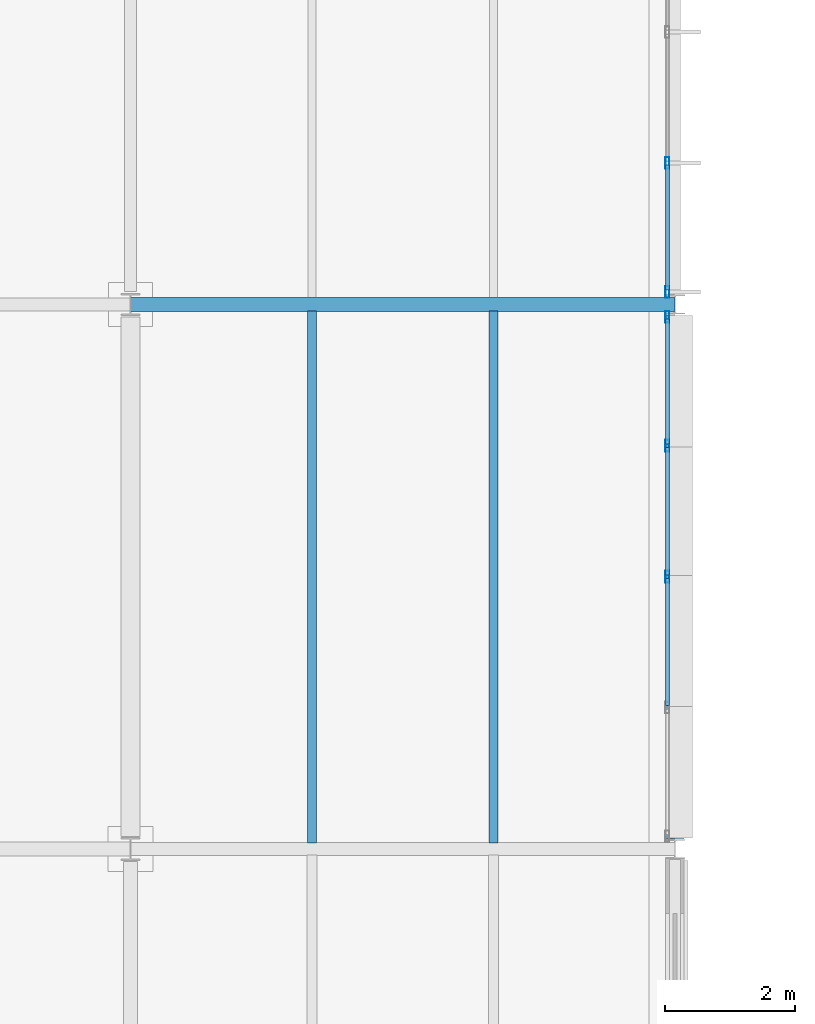
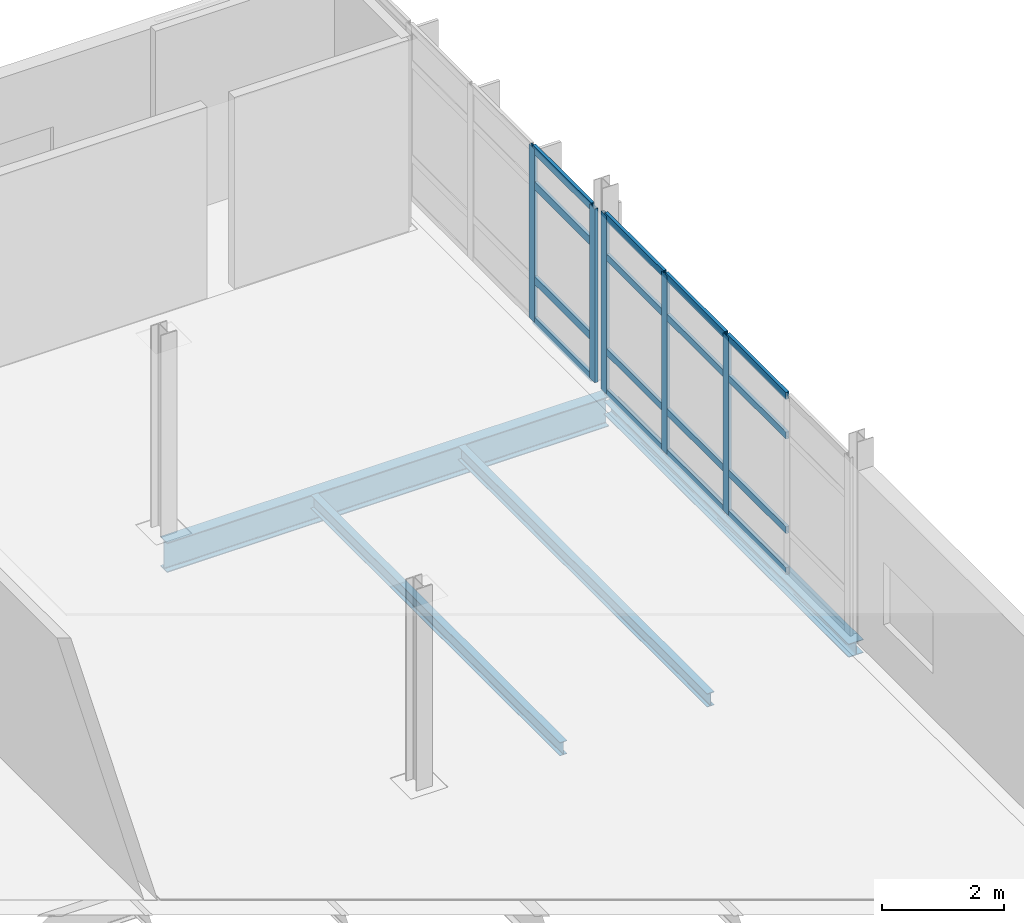
# One storey, part 88 of 151: 21 members, 4 beams, 2 elements without a shape of their own.
"""IFC4 building model written with IfcOpenShell, lengths in metres."""

from ifc_helpers import new_model, si_unit, direction, frame, origin, origin_2d, place, context, subcontext, project, spatial, hollow_rectangle, i_section, extrude, material, material_profile, profile_set, type_object, element, aggregate, save


model = new_model("IFC4")

# Units and contexts
model_context = context("Model", 3, precision=1e-05, world=origin(), true_north=direction((0.0, 1.0)))
body_context = subcontext(model_context, "Body", "Model", "MODEL_VIEW")
ifc_project = project(units=[si_unit("LENGTHUNIT", "METRE"), si_unit("AREAUNIT", "SQUARE_METRE"), si_unit("VOLUMEUNIT", "CUBIC_METRE"), si_unit("PLANEANGLEUNIT", "RADIAN"), si_unit("MASSUNIT", "GRAM", prefix="KILO")], contexts=[model_context])

# Site, building, storey
site_placement = place(None, origin())
site = spatial("IfcSite", under=ifc_project, at=site_placement, CompositionType="ELEMENT")
building_placement = place(site_placement, origin())
building = spatial("IfcBuilding", under=site, at=building_placement, Name="Mersafa Astral City Hall", CompositionType="ELEMENT")
storey_placement = place(building_placement, frame((0.0, 0.0, 9.89990234375)))
storey = spatial("IfcBuildingStorey", under=building, at=storey_placement, Name="L02", CompositionType="ELEMENT", Elevation=9.89990234375)

# Curtain wall, members
ifc_material_1 = material(Name="Anodised bronze aluminium framing", Category="aluminium")
curtain_wall_type_1 = type_object("IfcCurtainWallType", Name="ENV-CW-6", PredefinedType="USERDEFINED", material=ifc_material_1)
curtain_wall_1_placement = place(storey_placement, origin())
curtain_wall_1 = element("IfcCurtainWall", 1, at=curtain_wall_1_placement, inside=storey, type_object=curtain_wall_type_1, Name="L02 Unitised solar curtain wall 107", ObjectType="UNITISED CURTAIN WALL", PredefinedType="USERDEFINED")
ifc_material_profile_1 = material_profile(ifc_material_1, hollow_rectangle(XDim=0.06005859375, YDim=0.179931640625, WallThickness=0.00390625, at=origin_2d()), Name="RHS 60x180x4")
ifc_profile_set_1 = profile_set([ifc_material_profile_1], Name="Anodised bronze aluminium framing")
member_type_1 = type_object("IfcMemberType", Name="ENV-CW-MUL-1", PredefinedType="MULLION", material=ifc_profile_set_1)
member_1_placement = place(storey_placement, frame((142.679931640625, 21.0, -0.001953125), z_axis=(0.0, 0.0, 1.0), x_axis=(-1.0, 0.0, 0.0)))
member_1 = element("IfcMember", 2, at=member_1_placement, type_object=member_type_1, Name="CW-6 mullion 3", PredefinedType="MULLION", context=body_context, shape_type="SweptSolid", body=[
    extrude(hollow_rectangle(XDim=0.06005859375, YDim=0.179931640625, WallThickness=0.00390625, at=origin_2d()), origin(), (0.0, 0.0, 1.0), 3.5791015625),
])
member_2_placement = place(storey_placement, frame((142.679931640625, 23.01904296875, -0.001953125), z_axis=(0.0, 0.0, 1.0), x_axis=(-1.0, 0.0, 0.0)))
member_2 = element("IfcMember", 3, at=member_2_placement, type_object=member_type_1, Name="CW-6 mullion 4", PredefinedType="MULLION", context=body_context, shape_type="SweptSolid", body=[
    extrude(hollow_rectangle(XDim=0.06005859375, YDim=0.179931640625, WallThickness=0.00390625, at=origin_2d()), origin(), (0.0, 0.0, 1.0), 3.5791015625),
])
member_3_placement = place(storey_placement, frame((142.679931640625, 25.008056640625, -0.001953125), z_axis=(0.0, 0.0, 1.0), x_axis=(-1.0, 0.0, 0.0)))
member_3 = element("IfcMember", 4, at=member_3_placement, type_object=member_type_1, Name="CW-6 mullion 5", PredefinedType="MULLION", context=body_context, shape_type="SweptSolid", body=[
    extrude(hollow_rectangle(XDim=0.06005859375, YDim=0.179931640625, WallThickness=0.00390625, at=origin_2d()), origin(), (0.0, 0.0, 1.0), 3.5791015625),
])

curtain_wall_type_2 = type_object("IfcCurtainWallType", Name="ENV-CW-1", PredefinedType="USERDEFINED", material=ifc_material_1)
curtain_wall_2_placement = place(storey_placement, origin())
curtain_wall_2 = element("IfcCurtainWall", 5, at=curtain_wall_2_placement, inside=storey, type_object=curtain_wall_type_2, Name="L02 Unitised solar curtain wall 108", ObjectType="UNITISED CURTAIN WALL", PredefinedType="USERDEFINED")
member_4_placement = place(storey_placement, frame((142.679931640625, 25.39208984375, -0.001953125), z_axis=(0.0, 0.0, 1.0), x_axis=(-1.0, 0.0, 0.0)))
member_4 = element("IfcMember", 6, at=member_4_placement, type_object=member_type_1, Name="CW-1 mullion 1", PredefinedType="MULLION", context=body_context, shape_type="SweptSolid", body=[
    extrude(hollow_rectangle(XDim=0.06005859375, YDim=0.179931640625, WallThickness=0.00390625, at=origin_2d()), origin(), (0.0, 0.0, 1.0), 3.489013671875),
])
member_5_placement = place(storey_placement, frame((142.679931640625, 27.381103515625, -0.001953125), z_axis=(0.0, 0.0, 1.0), x_axis=(-1.0, 0.0, 0.0)))
member_5 = element("IfcMember", 7, at=member_5_placement, type_object=member_type_1, Name="CW-1 mullion 2", PredefinedType="MULLION", context=body_context, shape_type="SweptSolid", body=[
    extrude(hollow_rectangle(XDim=0.06005859375, YDim=0.179931640625, WallThickness=0.00390625, at=origin_2d()), origin(), (0.0, 0.0, 1.0), 3.489013671875),
])

# Member
ifc_material_profile_2 = material_profile(ifc_material_1, hollow_rectangle(XDim=0.06005859375, YDim=0.139892578125, WallThickness=0.00390625, at=origin_2d()), Name="RHS 60x140x4")
ifc_profile_set_2 = profile_set([ifc_material_profile_2], Name="Anodised bronze aluminium framing")
member_type_2 = type_object("IfcMemberType", Name="ENV-CW-TRN-1", PredefinedType="USERDEFINED", material=ifc_profile_set_2)
member_6_placement = place(storey_placement, frame((142.679931640625, 19.010986328125, 0.028076171875), z_axis=(0.0, 1.0, 0.0), x_axis=(-1.0, 0.0, 0.0)))
member_6 = element("IfcMember", 8, at=member_6_placement, type_object=member_type_2, Name="CW-6 transom 2.1", ObjectType="TRANSOM", PredefinedType="USERDEFINED", context=body_context, shape_type="SweptSolid", body=[
    extrude(hollow_rectangle(XDim=0.06005859375, YDim=0.139892578125, WallThickness=0.00390625, at=origin_2d()), origin(), (0.0, 0.0, 1.0), 1.958984375),
])

member_7_placement = place(storey_placement, frame((142.679931640625, 19.010986328125, 0.85009765625), z_axis=(0.0, 1.0, 0.0), x_axis=(-1.0, 0.0, 0.0)))
member_7 = element("IfcMember", 9, at=member_7_placement, type_object=member_type_2, Name="CW-6 transom 2.2", ObjectType="TRANSOM", PredefinedType="USERDEFINED", context=body_context, shape_type="SweptSolid", body=[
    extrude(hollow_rectangle(XDim=0.06005859375, YDim=0.139892578125, WallThickness=0.00390625, at=origin_2d()), origin(), (0.0, 0.0, 1.0), 1.958984375),
])

member_8_placement = place(storey_placement, frame((142.679931640625, 19.010986328125, 2.75), z_axis=(0.0, 1.0, 0.0), x_axis=(-1.0, 0.0, 0.0)))
member_8 = element("IfcMember", 10, at=member_8_placement, type_object=member_type_2, Name="CW-6 transom 2.3", ObjectType="TRANSOM", PredefinedType="USERDEFINED", context=body_context, shape_type="SweptSolid", body=[
    extrude(hollow_rectangle(XDim=0.06005859375, YDim=0.139892578125, WallThickness=0.00390625, at=origin_2d()), origin(), (0.0, 0.0, 1.0), 1.958984375),
])

member_9_placement = place(storey_placement, frame((142.679931640625, 19.010986328125, 3.547119140625), z_axis=(0.0, 1.0, 0.0), x_axis=(-1.0, 0.0, 0.0)))
member_9 = element("IfcMember", 11, at=member_9_placement, type_object=member_type_2, Name="CW-6 transom 2.4", ObjectType="TRANSOM", PredefinedType="USERDEFINED", context=body_context, shape_type="SweptSolid", body=[
    extrude(hollow_rectangle(XDim=0.06005859375, YDim=0.139892578125, WallThickness=0.00390625, at=origin_2d()), origin(), (0.0, 0.0, 1.0), 1.958984375),
])

member_10_placement = place(storey_placement, frame((142.679931640625, 21.030029296875, 0.028076171875), z_axis=(0.0, 1.0, 0.0), x_axis=(-1.0, 0.0, 0.0)))
member_10 = element("IfcMember", 12, at=member_10_placement, type_object=member_type_2, Name="CW-6 transom 3.1", ObjectType="TRANSOM", PredefinedType="USERDEFINED", context=body_context, shape_type="SweptSolid", body=[
    extrude(hollow_rectangle(XDim=0.06005859375, YDim=0.139892578125, WallThickness=0.00390625, at=origin_2d()), origin(), (0.0, 0.0, 1.0), 1.958984375),
])

member_11_placement = place(storey_placement, frame((142.679931640625, 21.030029296875, 0.85009765625), z_axis=(0.0, 1.0, 0.0), x_axis=(-1.0, 0.0, 0.0)))
member_11 = element("IfcMember", 13, at=member_11_placement, type_object=member_type_2, Name="CW-6 transom 3.2", ObjectType="TRANSOM", PredefinedType="USERDEFINED", context=body_context, shape_type="SweptSolid", body=[
    extrude(hollow_rectangle(XDim=0.06005859375, YDim=0.139892578125, WallThickness=0.00390625, at=origin_2d()), origin(), (0.0, 0.0, 1.0), 1.958984375),
])

member_12_placement = place(storey_placement, frame((142.679931640625, 21.030029296875, 2.75), z_axis=(0.0, 1.0, 0.0), x_axis=(-1.0, 0.0, 0.0)))
member_12 = element("IfcMember", 14, at=member_12_placement, type_object=member_type_2, Name="CW-6 transom 3.3", ObjectType="TRANSOM", PredefinedType="USERDEFINED", context=body_context, shape_type="SweptSolid", body=[
    extrude(hollow_rectangle(XDim=0.06005859375, YDim=0.139892578125, WallThickness=0.00390625, at=origin_2d()), origin(), (0.0, 0.0, 1.0), 1.958984375),
])

member_13_placement = place(storey_placement, frame((142.679931640625, 21.030029296875, 3.547119140625), z_axis=(0.0, 1.0, 0.0), x_axis=(-1.0, 0.0, 0.0)))
member_13 = element("IfcMember", 15, at=member_13_placement, type_object=member_type_2, Name="CW-6 transom 3.4", ObjectType="TRANSOM", PredefinedType="USERDEFINED", context=body_context, shape_type="SweptSolid", body=[
    extrude(hollow_rectangle(XDim=0.06005859375, YDim=0.139892578125, WallThickness=0.00390625, at=origin_2d()), origin(), (0.0, 0.0, 1.0), 1.958984375),
])

member_14_placement = place(storey_placement, frame((142.679931640625, 23.049072265625, 0.028076171875), z_axis=(0.0, 1.0, 0.0), x_axis=(-1.0, 0.0, 0.0)))
member_14 = element("IfcMember", 16, at=member_14_placement, type_object=member_type_2, Name="CW-6 transom 4.1", ObjectType="TRANSOM", PredefinedType="USERDEFINED", context=body_context, shape_type="SweptSolid", body=[
    extrude(hollow_rectangle(XDim=0.06005859375, YDim=0.139892578125, WallThickness=0.00390625, at=origin_2d()), origin(), (0.0, 0.0, 1.0), 1.928955078125),
])

member_15_placement = place(storey_placement, frame((142.679931640625, 23.049072265625, 0.85009765625), z_axis=(0.0, 1.0, 0.0), x_axis=(-1.0, 0.0, 0.0)))
member_15 = element("IfcMember", 17, at=member_15_placement, type_object=member_type_2, Name="CW-6 transom 4.2", ObjectType="TRANSOM", PredefinedType="USERDEFINED", context=body_context, shape_type="SweptSolid", body=[
    extrude(hollow_rectangle(XDim=0.06005859375, YDim=0.139892578125, WallThickness=0.00390625, at=origin_2d()), origin(), (0.0, 0.0, 1.0), 1.928955078125),
])

member_16_placement = place(storey_placement, frame((142.679931640625, 23.049072265625, 2.75), z_axis=(0.0, 1.0, 0.0), x_axis=(-1.0, 0.0, 0.0)))
member_16 = element("IfcMember", 18, at=member_16_placement, type_object=member_type_2, Name="CW-6 transom 4.3", ObjectType="TRANSOM", PredefinedType="USERDEFINED", context=body_context, shape_type="SweptSolid", body=[
    extrude(hollow_rectangle(XDim=0.06005859375, YDim=0.139892578125, WallThickness=0.00390625, at=origin_2d()), origin(), (0.0, 0.0, 1.0), 1.928955078125),
])

member_17_placement = place(storey_placement, frame((142.679931640625, 23.049072265625, 3.547119140625), z_axis=(0.0, 1.0, 0.0), x_axis=(-1.0, 0.0, 0.0)))
member_17 = element("IfcMember", 19, at=member_17_placement, type_object=member_type_2, Name="CW-6 transom 4.4", ObjectType="TRANSOM", PredefinedType="USERDEFINED", context=body_context, shape_type="SweptSolid", body=[
    extrude(hollow_rectangle(XDim=0.06005859375, YDim=0.139892578125, WallThickness=0.00390625, at=origin_2d()), origin(), (0.0, 0.0, 1.0), 1.928955078125),
])

aggregate(curtain_wall_1, [member_1, member_2, member_3, member_6, member_7, member_8, member_9, member_10, member_11, member_12, member_13, member_14, member_15, member_16, member_17])

ifc_material_profile_3 = material_profile(ifc_material_1, hollow_rectangle(XDim=0.06005859375, YDim=0.159912109375, WallThickness=0.00390625, at=origin_2d()), Name="RHS 60x160x4")
ifc_profile_set_3 = profile_set([ifc_material_profile_3], Name="Anodised bronze aluminium framing")
member_type_3 = type_object("IfcMemberType", Name="ENV-CW-TRN-2", PredefinedType="USERDEFINED", material=ifc_profile_set_3)
member_18_placement = place(storey_placement, frame((142.679931640625, 25.422119140625, 0.028076171875), z_axis=(0.0, 1.0, 0.0), x_axis=(-1.0, 0.0, 0.0)))
member_18 = element("IfcMember", 20, at=member_18_placement, type_object=member_type_3, Name="CW-1 transom 1.1", ObjectType="TRANSOM", PredefinedType="USERDEFINED", context=body_context, shape_type="SweptSolid", body=[
    extrude(hollow_rectangle(XDim=0.06005859375, YDim=0.159912109375, WallThickness=0.00390625, at=origin_2d()), origin(), (0.0, 0.0, 1.0), 1.928955078125),
])

member_19_placement = place(storey_placement, frame((142.679931640625, 25.422119140625, 0.85009765625), z_axis=(0.0, 1.0, 0.0), x_axis=(-1.0, 0.0, 0.0)))
member_19 = element("IfcMember", 21, at=member_19_placement, type_object=member_type_3, Name="CW-1 transom 1.2", ObjectType="TRANSOM", PredefinedType="USERDEFINED", context=body_context, shape_type="SweptSolid", body=[
    extrude(hollow_rectangle(XDim=0.06005859375, YDim=0.159912109375, WallThickness=0.00390625, at=origin_2d()), origin(), (0.0, 0.0, 1.0), 1.928955078125),
])

member_20_placement = place(storey_placement, frame((142.679931640625, 25.422119140625, 2.75), z_axis=(0.0, 1.0, 0.0), x_axis=(-1.0, 0.0, 0.0)))
member_20 = element("IfcMember", 22, at=member_20_placement, type_object=member_type_3, Name="CW-1 transom 1.3", ObjectType="TRANSOM", PredefinedType="USERDEFINED", context=body_context, shape_type="SweptSolid", body=[
    extrude(hollow_rectangle(XDim=0.06005859375, YDim=0.159912109375, WallThickness=0.00390625, at=origin_2d()), origin(), (0.0, 0.0, 1.0), 1.928955078125),
])

member_21_placement = place(storey_placement, frame((142.679931640625, 25.422119140625, 3.45703125), z_axis=(0.0, 1.0, 0.0), x_axis=(-1.0, 0.0, 0.0)))
member_21 = element("IfcMember", 23, at=member_21_placement, type_object=member_type_3, Name="CW-1 transom 1.4", ObjectType="TRANSOM", PredefinedType="USERDEFINED", context=body_context, shape_type="SweptSolid", body=[
    extrude(hollow_rectangle(XDim=0.06005859375, YDim=0.159912109375, WallThickness=0.00390625, at=origin_2d()), origin(), (0.0, 0.0, 1.0), 1.928955078125),
])

aggregate(curtain_wall_2, [member_4, member_5, member_18, member_19, member_20, member_21])

# Beams
ifc_material_2 = material(Name="Steel S355", Category="steel")
ifc_material_profile_4 = material_profile(ifc_material_2, i_section(OverallWidth=0.219970703125, OverallDepth=0.60009765625, WebThickness=0.011962890625, FlangeThickness=0.01904296875, FilletRadius=0.02392578125, at=origin_2d()), Name="IPE 600")
ifc_profile_set_4 = profile_set([ifc_material_profile_4], Name="Steel S355")
beam_type_1 = type_object("IfcBeamType", Name="STR-BM-IPE600", PredefinedType="BEAM", material=ifc_profile_set_4)
beam_1_placement = place(storey_placement, frame((134.403076171875, 25.199951171875, -0.5), z_axis=(1.0, 0.0, 0.0), x_axis=(0.0, 1.0, 0.0)))
element("IfcBeam", 24, at=beam_1_placement, inside=storey, type_object=beam_type_1, Name="L02 Primary girder X 16-3", PredefinedType="BEAM", context=body_context, shape_type="SweptSolid", body=[
    extrude(i_section(OverallWidth=0.219970703125, OverallDepth=0.60009765625, WebThickness=0.011962890625, FlangeThickness=0.01904296875, FilletRadius=0.02392578125, at=origin_2d()), origin(), (0.0, 0.0, 1.0), 8.39404296875),
])
ifc_material_profile_5 = material_profile(ifc_material_2, i_section(OverallWidth=0.135009765625, OverallDepth=0.27001953125, WebThickness=0.006591796875, FlangeThickness=0.01025390625, FilletRadius=0.014892578125, at=origin_2d()), Name="IPE 270")
ifc_profile_set_5 = profile_set([ifc_material_profile_5], Name="Steel S355")
beam_type_2 = type_object("IfcBeamType", Name="STR-BM-JOIST-IPE270", PredefinedType="JOIST", material=ifc_profile_set_5)
for number, where, z_axis, x_axis, name in (
    (25, (137.199951171875, 16.89501953125, -0.3349609375), (0.0, 1.0, 0.0), (-1.0, 0.0, 0.0), "L02 Composite secondary floor joist 508"),
    (26, (140.0, 16.89501953125, -0.3349609375), (0.0, 1.0, 0.0), (-1.0, 0.0, 0.0), "L02 Composite secondary floor joist 509"),
):
    element("IfcBeam", number, at=place(storey_placement, frame(where, z_axis=z_axis, x_axis=x_axis)), inside=storey, type_object=beam_type_2, Name=name, PredefinedType="JOIST", context=body_context, shape_type="SweptSolid", body=[
        extrude(i_section(OverallWidth=0.135009765625, OverallDepth=0.27001953125, WebThickness=0.006591796875, FlangeThickness=0.01025390625, FilletRadius=0.014892578125, at=origin_2d()), origin(), (0.0, 0.0, 1.0), 8.199951171875),
    ])
ifc_material_profile_6 = material_profile(ifc_material_2, i_section(OverallWidth=0.280029296875, OverallDepth=0.27001953125, WebThickness=0.008056640625, FlangeThickness=0.012939453125, FilletRadius=0.02392578125, at=origin_2d()), Name="HEA 280")
ifc_profile_set_6 = profile_set([ifc_material_profile_6], Name="Steel S355")
beam_type_3 = type_object("IfcBeamType", Name="STR-BM-SPANDREL-HEA280", PredefinedType="SPANDREL", material=ifc_profile_set_6)
beam_2_placement = place(storey_placement, frame((142.800048828125, 16.965087890625, -0.3349609375), z_axis=(0.0, 1.0, 0.0), x_axis=(-1.0, 0.0, 0.0)))
element("IfcBeam", 27, at=beam_2_placement, inside=storey, type_object=beam_type_3, Name="L02 Primary girder Y 17-2", PredefinedType="SPANDREL", context=body_context, shape_type="SweptSolid", body=[
    extrude(i_section(OverallWidth=0.280029296875, OverallDepth=0.27001953125, WebThickness=0.008056640625, FlangeThickness=0.012939453125, FilletRadius=0.02392578125, at=origin_2d()), origin(), (0.0, 0.0, 1.0), 8.059814453125),
])

save(model, "model.ifc")
